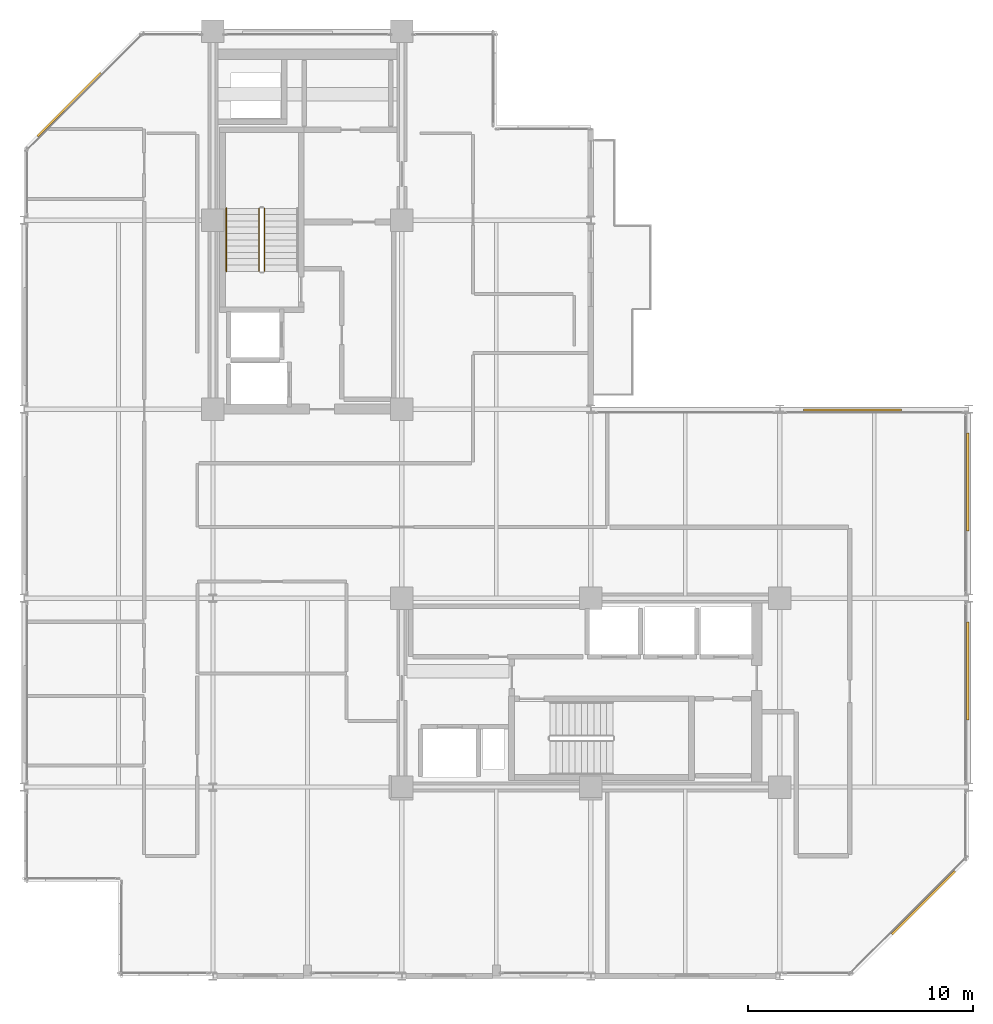
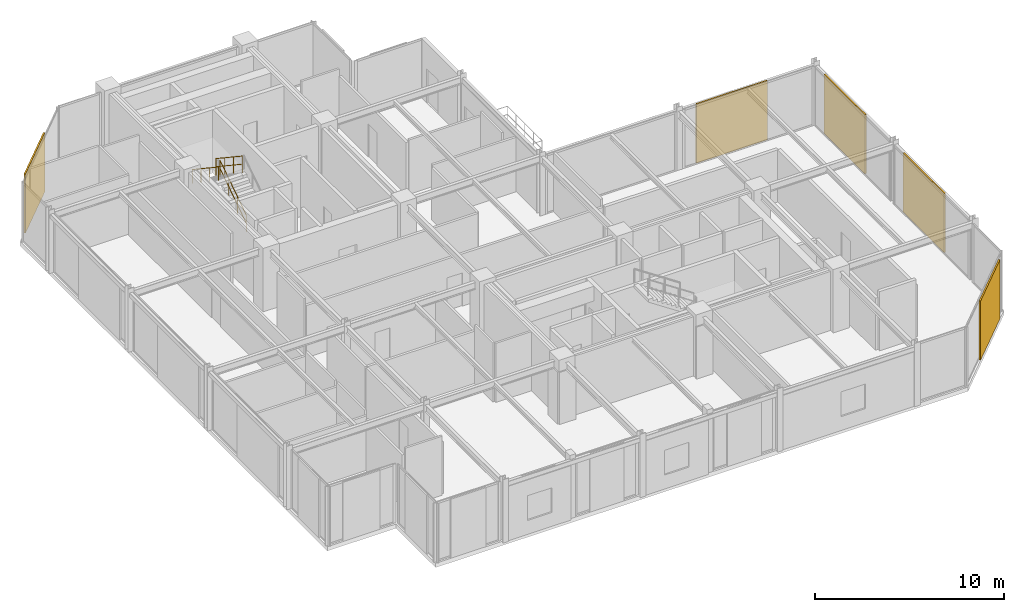
# One storey, part 24 of 25: 5 coverings, 3 railings.
"""IFC4 building model written with IfcOpenShell, lengths in metres."""

from ifc_helpers import new_model, si_unit, direction, frame, origin, origin_2d, place, context, subcontext, project, spatial, rectangle, circle, extrude, material, layer, layer_set, type_object, element, save


model = new_model("IFC4")

# Units and contexts
model_context = context("Model", 3, precision=1e-05, world=origin(), true_north=direction((0.0, 1.0)))
body_context = subcontext(model_context, "Body", "Model", "MODEL_VIEW")
ifc_project = project(units=[si_unit("LENGTHUNIT", "METRE"), si_unit("AREAUNIT", "SQUARE_METRE"), si_unit("VOLUMEUNIT", "CUBIC_METRE"), si_unit("PLANEANGLEUNIT", "RADIAN"), si_unit("MASSUNIT", "GRAM", prefix="KILO")], contexts=[model_context])

# Site, building, storey
site_placement = place(None, origin())
site = spatial("IfcSite", under=ifc_project, at=site_placement, CompositionType="ELEMENT")
building_placement = place(site_placement, origin())
building = spatial("IfcBuilding", under=site, at=building_placement, Name="Nerrivon Quay Data Exchange", CompositionType="ELEMENT")
storey_placement = place(building_placement, frame((0.0, 0.0, 237.0)))
storey = spatial("IfcBuildingStorey", under=building, at=storey_placement, Name="L56", CompositionType="ELEMENT", Elevation=237.0)

# Coverings
ifc_material_1 = material(Name="Architectural terracotta ceramic", Category="masonry")
ifc_layer = layer(ifc_material_1, 0.090087890625)
ifc_layer_set = layer_set([ifc_layer], Name="Architectural terracotta ceramic")
covering_type = type_object("IfcCoveringType", Name="COV-SCR-TERR", PredefinedType="CLADDING", material=ifc_layer_set)
for number, where, z_axis, x_axis, name in (
    (1, (39.9921875, 3.255859375, 0.0), (0.0, 0.0, 1.0), (-0.707106781187, -0.707106781187, 0.0), "L56 Perforated Terracotta SOLAR SCREEN Cassette"),
    (2, (2.0078125, 38.744140625, 0.0), (0.0, 0.0, 1.0), (0.707106781187, 0.707106781187, 0.0), "L56 Perforated Terracotta SOLAR SCREEN Cassette"),
):
    element("IfcCovering", number, at=place(storey_placement, frame(where, z_axis=z_axis, x_axis=x_axis)), inside=storey, type_object=covering_type, Name=name, PredefinedType="CLADDING", context=body_context, shape_type="SweptSolid", body=[
        extrude(rectangle(XDim=3.970947265625, YDim=0.090087890625, at=origin_2d()), origin(), (0.0, 0.0, 1.0), 3.824951171875),
    ])
for number, where, z_axis, x_axis, name in (
    (3, (36.833984375, 25.155029296875, 0.0), (0.0, 0.0, 1.0), (1.0, 0.0, 0.0), "L56 Perforated Terracotta SOLAR SCREEN Cassette"),
    (4, (41.955078125, 21.966064453125, 0.0), (0.0, 0.0, 1.0), (0.0, -1.0, 0.0), "L56 Perforated Terracotta SOLAR SCREEN Cassette"),
    (5, (41.955078125, 13.56591796875, 0.0), (0.0, 0.0, 1.0), (0.0, -1.0, 0.0), "L56 Perforated Terracotta SOLAR SCREEN Cassette"),
):
    element("IfcCovering", number, at=place(storey_placement, frame(where, z_axis=z_axis, x_axis=x_axis)), inside=storey, type_object=covering_type, Name=name, PredefinedType="CLADDING", context=body_context, shape_type="SweptSolid", body=[
        extrude(rectangle(XDim=4.346923828125, YDim=0.090087890625, at=origin_2d()), origin(), (0.0, 0.0, 1.0), 3.824951171875),
    ])

# Railings
ifc_material_2 = material(Name="Steel Grade C350L0 (350 MPa)", Category="steel")
railing_type_1 = type_object("IfcRailingType", Name="RAIL-HAND-HR1", PredefinedType="HANDRAIL", material=ifc_material_2)
railing_1_placement = place(storey_placement, frame((9.0, 34.1298828125, 2.236328125)))
element("IfcRailing", 6, at=railing_1_placement, inside=storey, type_object=railing_type_1, Name="L56 ST01 stair handrail 2", PredefinedType="HANDRAIL", context=body_context, shape_type="SweptSolid", body=[
    extrude(circle(Radius=0.02392578125, at=origin_2d()), frame((0.0, 0.0, 0.8759765625), z_axis=(0.0, -0.832429786209, 0.554130536094), x_axis=(1.0, 0.0, 0.0)), (0.0, 0.0, 1.0), 3.363525390625),
    extrude(circle(Radius=0.02099609375, at=origin_2d()), origin(), (0.0, 0.0, 1.0), 0.851806640625),
    extrude(circle(Radius=0.02099609375, at=origin_2d()), frame((0.0, -0.933349609375, 0.621337890625)), (0.0, 0.0, 1.0), 0.851806640625),
    extrude(circle(Radius=0.02099609375, at=origin_2d()), frame((0.0, -1.866455078125, 1.242431640625)), (0.0, 0.0, 1.0), 0.851806640625),
    extrude(circle(Radius=0.02099609375, at=origin_2d()), frame((0.0, -2.7998046875, 1.86376953125)), (0.0, 0.0, 1.0), 0.851806640625),
])
railing_type_2 = type_object("IfcRailingType", Name="RAIL-STAIR-GR1", PredefinedType="BALUSTRADE", material=ifc_material_2)
railing_2_placement = place(storey_placement, frame((10.699951171875, 31.330078125, 0.186279296875)))
element("IfcRailing", 7, at=railing_2_placement, inside=storey, type_object=railing_type_2, Name="L56 ST01 stair guard 1", PredefinedType="BALUSTRADE", context=body_context, shape_type="SweptSolid", body=[
    extrude(circle(Radius=0.02392578125, at=origin_2d()), frame((0.0, 0.0, 1.076171875), z_axis=(0.0, 0.832429786209, 0.554130536094), x_axis=(-1.0, 0.0, 0.0)), (0.0, 0.0, 1.0), 3.363525390625),
    extrude(circle(Radius=0.02392578125, at=origin_2d()), frame((0.0, 0.0, 0.550048828125), z_axis=(0.0, 0.832429786209, 0.554130536094), x_axis=(-1.0, 0.0, 0.0)), (0.0, 0.0, 1.0), 3.363525390625),
    extrude(circle(Radius=0.02099609375, at=origin_2d()), origin(), (0.0, 0.0, 1.0), 1.052001953125),
    extrude(circle(Radius=0.02099609375, at=origin_2d()), frame((0.0, 0.933349609375, 0.621337890625)), (0.0, 0.0, 1.0), 1.052001953125),
    extrude(circle(Radius=0.02099609375, at=origin_2d()), frame((0.0, 1.866455078125, 1.242431640625)), (0.0, 0.0, 1.0), 1.052001953125),
    extrude(circle(Radius=0.02099609375, at=origin_2d()), frame((0.0, 2.7998046875, 1.86376953125)), (0.0, 0.0, 1.0), 1.052001953125),
])
railing_3_placement = place(storey_placement, frame((10.449951171875, 34.1298828125, 2.236328125)))
element("IfcRailing", 8, at=railing_3_placement, inside=storey, type_object=railing_type_2, Name="L56 ST01 stair guard 3", PredefinedType="BALUSTRADE", context=body_context, shape_type="SweptSolid", body=[
    extrude(circle(Radius=0.02392578125, at=origin_2d()), frame((0.0, 0.0, 1.076171875), z_axis=(0.0, -0.832429786209, 0.554130536094), x_axis=(1.0, 0.0, 0.0)), (0.0, 0.0, 1.0), 3.363525390625),
    extrude(circle(Radius=0.02392578125, at=origin_2d()), frame((0.0, 0.0, 0.550048828125), z_axis=(0.0, -0.832429786209, 0.554130536094), x_axis=(1.0, 0.0, 0.0)), (0.0, 0.0, 1.0), 3.363525390625),
    extrude(circle(Radius=0.02099609375, at=origin_2d()), origin(), (0.0, 0.0, 1.0), 1.052001953125),
    extrude(circle(Radius=0.02099609375, at=origin_2d()), frame((0.0, -0.933349609375, 0.621337890625)), (0.0, 0.0, 1.0), 1.052001953125),
    extrude(circle(Radius=0.02099609375, at=origin_2d()), frame((0.0, -1.866455078125, 1.242431640625)), (0.0, 0.0, 1.0), 1.052001953125),
    extrude(circle(Radius=0.02099609375, at=origin_2d()), frame((0.0, -2.7998046875, 1.86376953125)), (0.0, 0.0, 1.0), 1.052001953125),
])

save(model, "model.ifc")
